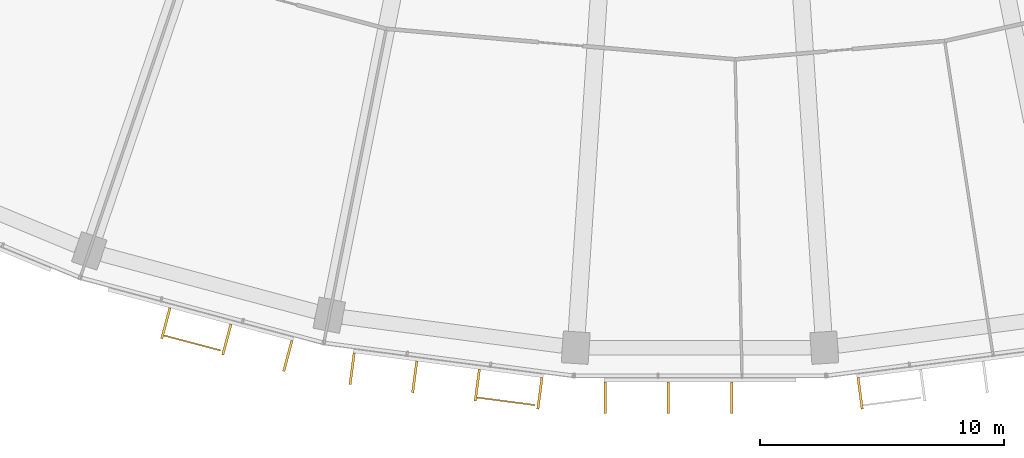
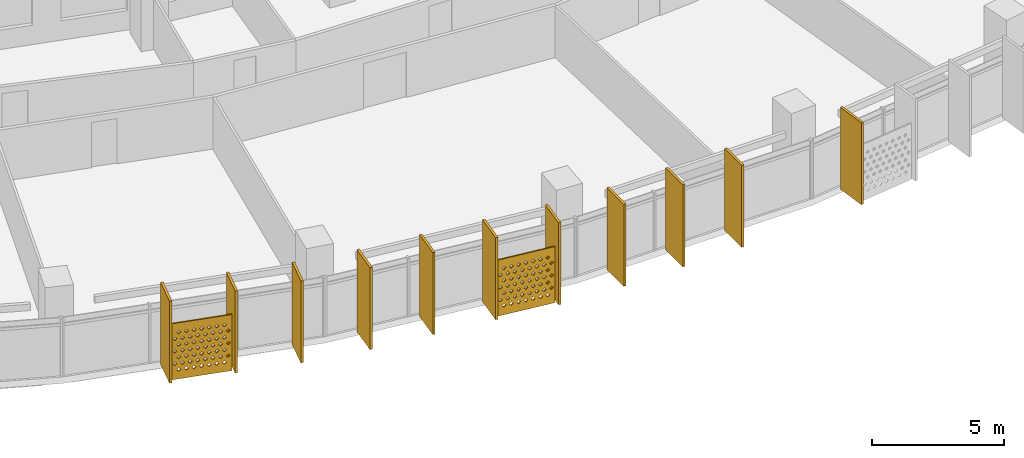
# One storey, part 23 of 27: 13 shading devices.
"""IFC4 building model written with IfcOpenShell, lengths in metres."""

from ifc_helpers import new_model, si_unit, direction, frame, origin, origin_2d, place, context, subcontext, project, spatial, polyline, rectangle, outline, extrude, material, material_profile, profile_set, type_object, element, save


model = new_model("IFC4")

# Units and contexts
model_context = context("Model", 3, precision=1e-05, world=origin(), true_north=direction((0.0, 1.0)))
body_context = subcontext(model_context, "Body", "Model", "MODEL_VIEW")
ifc_project = project(units=[si_unit("LENGTHUNIT", "METRE"), si_unit("AREAUNIT", "SQUARE_METRE"), si_unit("VOLUMEUNIT", "CUBIC_METRE"), si_unit("PLANEANGLEUNIT", "RADIAN"), si_unit("MASSUNIT", "GRAM", prefix="KILO")], contexts=[model_context])

# Site, building, storey
site_placement = place(None, origin())
site = spatial("IfcSite", under=ifc_project, at=site_placement, CompositionType="ELEMENT")
building_placement = place(site_placement, origin())
building = spatial("IfcBuilding", under=site, at=building_placement, Name="Qamariyya Broadcast Tower", CompositionType="ELEMENT")
storey_placement = place(building_placement, frame((0.0, 0.0, 191.10009765625)))
storey = spatial("IfcBuildingStorey", under=building, at=storey_placement, Name="L45", CompositionType="ELEMENT", Elevation=191.10009765625)

# Shading devices
ifc_material_1 = material(Name="Perforated glazed terracotta", Category="masonry")
ifc_material_profile_1 = material_profile(ifc_material_1, outline(polyline([(-1.199951171875, -1.300048828125), (1.199951171875, -1.300048828125), (1.199951171875, 1.300048828125), (-1.199951171875, 1.300048828125), (-1.199951171875, -1.300048828125)]), holes=[polyline([(-0.81494140625, -0.86669921875), (-0.89990234375, -0.78173828125), (-0.985107421875, -0.86669921875), (-0.89990234375, -0.95166015625), (-0.81494140625, -0.86669921875)]), polyline([(-0.514892578125, -0.86669921875), (-0.60009765625, -0.78173828125), (-0.68505859375, -0.86669921875), (-0.60009765625, -0.95166015625), (-0.514892578125, -0.86669921875)]), polyline([(-0.215087890625, -0.86669921875), (-0.300048828125, -0.78173828125), (-0.385009765625, -0.86669921875), (-0.300048828125, -0.95166015625), (-0.215087890625, -0.86669921875)]), polyline([(0.0849609375, -0.86669921875), (0.0, -0.78173828125), (-0.0849609375, -0.86669921875), (0.0, -0.95166015625), (0.0849609375, -0.86669921875)]), polyline([(0.385009765625, -0.86669921875), (0.300048828125, -0.78173828125), (0.215087890625, -0.86669921875), (0.300048828125, -0.95166015625), (0.385009765625, -0.86669921875)]), polyline([(0.68505859375, -0.86669921875), (0.60009765625, -0.78173828125), (0.514892578125, -0.86669921875), (0.60009765625, -0.95166015625), (0.68505859375, -0.86669921875)]), polyline([(0.985107421875, -0.86669921875), (0.89990234375, -0.78173828125), (0.81494140625, -0.86669921875), (0.89990234375, -0.95166015625), (0.985107421875, -0.86669921875)]), polyline([(-0.965087890625, -0.577880859375), (-1.050048828125, -0.49267578125), (-1.135009765625, -0.577880859375), (-1.050048828125, -0.662841796875), (-0.965087890625, -0.577880859375)]), polyline([(-0.6650390625, -0.577880859375), (-0.75, -0.49267578125), (-0.8349609375, -0.577880859375), (-0.75, -0.662841796875), (-0.6650390625, -0.577880859375)]), polyline([(-0.364990234375, -0.577880859375), (-0.449951171875, -0.49267578125), (-0.534912109375, -0.577880859375), (-0.449951171875, -0.662841796875), (-0.364990234375, -0.577880859375)]), polyline([(-0.06494140625, -0.577880859375), (-0.14990234375, -0.49267578125), (-0.235107421875, -0.577880859375), (-0.14990234375, -0.662841796875), (-0.06494140625, -0.577880859375)]), polyline([(0.235107421875, -0.577880859375), (0.14990234375, -0.49267578125), (0.06494140625, -0.577880859375), (0.14990234375, -0.662841796875), (0.235107421875, -0.577880859375)]), polyline([(0.534912109375, -0.577880859375), (0.449951171875, -0.49267578125), (0.364990234375, -0.577880859375), (0.449951171875, -0.662841796875), (0.534912109375, -0.577880859375)]), polyline([(0.8349609375, -0.577880859375), (0.75, -0.49267578125), (0.6650390625, -0.577880859375), (0.75, -0.662841796875), (0.8349609375, -0.577880859375)]), polyline([(1.135009765625, -0.577880859375), (1.050048828125, -0.49267578125), (0.965087890625, -0.577880859375), (1.050048828125, -0.662841796875), (1.135009765625, -0.577880859375)]), polyline([(-0.81494140625, -0.288818359375), (-0.89990234375, -0.203857421875), (-0.985107421875, -0.288818359375), (-0.89990234375, -0.373779296875), (-0.81494140625, -0.288818359375)]), polyline([(-0.514892578125, -0.288818359375), (-0.60009765625, -0.203857421875), (-0.68505859375, -0.288818359375), (-0.60009765625, -0.373779296875), (-0.514892578125, -0.288818359375)]), polyline([(-0.215087890625, -0.288818359375), (-0.300048828125, -0.203857421875), (-0.385009765625, -0.288818359375), (-0.300048828125, -0.373779296875), (-0.215087890625, -0.288818359375)]), polyline([(0.0849609375, -0.288818359375), (0.0, -0.203857421875), (-0.0849609375, -0.288818359375), (0.0, -0.373779296875), (0.0849609375, -0.288818359375)]), polyline([(0.385009765625, -0.288818359375), (0.300048828125, -0.203857421875), (0.215087890625, -0.288818359375), (0.300048828125, -0.373779296875), (0.385009765625, -0.288818359375)]), polyline([(0.68505859375, -0.288818359375), (0.60009765625, -0.203857421875), (0.514892578125, -0.288818359375), (0.60009765625, -0.373779296875), (0.68505859375, -0.288818359375)]), polyline([(0.985107421875, -0.288818359375), (0.89990234375, -0.203857421875), (0.81494140625, -0.288818359375), (0.89990234375, -0.373779296875), (0.985107421875, -0.288818359375)]), polyline([(-0.965087890625, 0.0), (-1.050048828125, 0.0849609375), (-1.135009765625, 0.0), (-1.050048828125, -0.0849609375), (-0.965087890625, 0.0)]), polyline([(-0.6650390625, 0.0), (-0.75, 0.0849609375), (-0.8349609375, 0.0), (-0.75, -0.0849609375), (-0.6650390625, 0.0)]), polyline([(-0.364990234375, 0.0), (-0.449951171875, 0.0849609375), (-0.534912109375, 0.0), (-0.449951171875, -0.0849609375), (-0.364990234375, 0.0)]), polyline([(-0.06494140625, 0.0), (-0.14990234375, 0.0849609375), (-0.235107421875, 0.0), (-0.14990234375, -0.0849609375), (-0.06494140625, 0.0)]), polyline([(0.235107421875, 0.0), (0.14990234375, 0.0849609375), (0.06494140625, 0.0), (0.14990234375, -0.0849609375), (0.235107421875, 0.0)]), polyline([(0.534912109375, 0.0), (0.449951171875, 0.0849609375), (0.364990234375, 0.0), (0.449951171875, -0.0849609375), (0.534912109375, 0.0)]), polyline([(0.8349609375, 0.0), (0.75, 0.0849609375), (0.6650390625, 0.0), (0.75, -0.0849609375), (0.8349609375, 0.0)]), polyline([(1.135009765625, 0.0), (1.050048828125, 0.0849609375), (0.965087890625, 0.0), (1.050048828125, -0.0849609375), (1.135009765625, 0.0)]), polyline([(-0.81494140625, 0.288818359375), (-0.89990234375, 0.373779296875), (-0.985107421875, 0.288818359375), (-0.89990234375, 0.203857421875), (-0.81494140625, 0.288818359375)]), polyline([(-0.514892578125, 0.288818359375), (-0.60009765625, 0.373779296875), (-0.68505859375, 0.288818359375), (-0.60009765625, 0.203857421875), (-0.514892578125, 0.288818359375)]), polyline([(-0.215087890625, 0.288818359375), (-0.300048828125, 0.373779296875), (-0.385009765625, 0.288818359375), (-0.300048828125, 0.203857421875), (-0.215087890625, 0.288818359375)]), polyline([(0.0849609375, 0.288818359375), (0.0, 0.373779296875), (-0.0849609375, 0.288818359375), (0.0, 0.203857421875), (0.0849609375, 0.288818359375)]), polyline([(0.385009765625, 0.288818359375), (0.300048828125, 0.373779296875), (0.215087890625, 0.288818359375), (0.300048828125, 0.203857421875), (0.385009765625, 0.288818359375)]), polyline([(0.68505859375, 0.288818359375), (0.60009765625, 0.373779296875), (0.514892578125, 0.288818359375), (0.60009765625, 0.203857421875), (0.68505859375, 0.288818359375)]), polyline([(0.985107421875, 0.288818359375), (0.89990234375, 0.373779296875), (0.81494140625, 0.288818359375), (0.89990234375, 0.203857421875), (0.985107421875, 0.288818359375)]), polyline([(-0.965087890625, 0.577880859375), (-1.050048828125, 0.662841796875), (-1.135009765625, 0.577880859375), (-1.050048828125, 0.49267578125), (-0.965087890625, 0.577880859375)]), polyline([(-0.6650390625, 0.577880859375), (-0.75, 0.662841796875), (-0.8349609375, 0.577880859375), (-0.75, 0.49267578125), (-0.6650390625, 0.577880859375)]), polyline([(-0.364990234375, 0.577880859375), (-0.449951171875, 0.662841796875), (-0.534912109375, 0.577880859375), (-0.449951171875, 0.49267578125), (-0.364990234375, 0.577880859375)]), polyline([(-0.06494140625, 0.577880859375), (-0.14990234375, 0.662841796875), (-0.235107421875, 0.577880859375), (-0.14990234375, 0.49267578125), (-0.06494140625, 0.577880859375)]), polyline([(0.235107421875, 0.577880859375), (0.14990234375, 0.662841796875), (0.06494140625, 0.577880859375), (0.14990234375, 0.49267578125), (0.235107421875, 0.577880859375)]), polyline([(0.534912109375, 0.577880859375), (0.449951171875, 0.662841796875), (0.364990234375, 0.577880859375), (0.449951171875, 0.49267578125), (0.534912109375, 0.577880859375)]), polyline([(0.8349609375, 0.577880859375), (0.75, 0.662841796875), (0.6650390625, 0.577880859375), (0.75, 0.49267578125), (0.8349609375, 0.577880859375)]), polyline([(1.135009765625, 0.577880859375), (1.050048828125, 0.662841796875), (0.965087890625, 0.577880859375), (1.050048828125, 0.49267578125), (1.135009765625, 0.577880859375)]), polyline([(-0.81494140625, 0.86669921875), (-0.89990234375, 0.95166015625), (-0.985107421875, 0.86669921875), (-0.89990234375, 0.78173828125), (-0.81494140625, 0.86669921875)]), polyline([(-0.514892578125, 0.86669921875), (-0.60009765625, 0.95166015625), (-0.68505859375, 0.86669921875), (-0.60009765625, 0.78173828125), (-0.514892578125, 0.86669921875)]), polyline([(-0.215087890625, 0.86669921875), (-0.300048828125, 0.95166015625), (-0.385009765625, 0.86669921875), (-0.300048828125, 0.78173828125), (-0.215087890625, 0.86669921875)]), polyline([(0.0849609375, 0.86669921875), (0.0, 0.95166015625), (-0.0849609375, 0.86669921875), (0.0, 0.78173828125), (0.0849609375, 0.86669921875)]), polyline([(0.385009765625, 0.86669921875), (0.300048828125, 0.95166015625), (0.215087890625, 0.86669921875), (0.300048828125, 0.78173828125), (0.385009765625, 0.86669921875)]), polyline([(0.68505859375, 0.86669921875), (0.60009765625, 0.95166015625), (0.514892578125, 0.86669921875), (0.60009765625, 0.78173828125), (0.68505859375, 0.86669921875)]), polyline([(0.985107421875, 0.86669921875), (0.89990234375, 0.95166015625), (0.81494140625, 0.86669921875), (0.89990234375, 0.78173828125), (0.985107421875, 0.86669921875)])]))
ifc_profile_set_1 = profile_set([ifc_material_profile_1], Name="Perforated glazed terracotta")
shading_device_type_1 = type_object("IfcShadingDeviceType", Name="Perforated terracotta screen 2400 x 2600", PredefinedType="USERDEFINED", material=ifc_profile_set_1)
shading_device_1_placement = place(storey_placement, frame((-20.77197265625, -77.360595703125, 1.349853515625), z_axis=(-0.255892560316, -0.966705227862, 0.0), x_axis=(0.966705227862, -0.255892560316, 0.0)))
element("IfcShadingDevice", 1, at=shading_device_1_placement, inside=storey, type_object=shading_device_type_1, Name="e-scr-L45-05-1", ObjectType="SCREEN", PredefinedType="USERDEFINED", context=body_context, shape_type="SweptSolid", body=[
    extrude(outline(polyline([(-1.199951171875, -1.300048828125), (1.199951171875, -1.300048828125), (1.199951171875, 1.300048828125), (-1.199951171875, 1.300048828125), (-1.199951171875, -1.300048828125)]), holes=[polyline([(-0.81494140625, -0.86669921875), (-0.89990234375, -0.78173828125), (-0.985107421875, -0.86669921875), (-0.89990234375, -0.95166015625), (-0.81494140625, -0.86669921875)]), polyline([(-0.514892578125, -0.86669921875), (-0.60009765625, -0.78173828125), (-0.68505859375, -0.86669921875), (-0.60009765625, -0.95166015625), (-0.514892578125, -0.86669921875)]), polyline([(-0.215087890625, -0.86669921875), (-0.300048828125, -0.78173828125), (-0.385009765625, -0.86669921875), (-0.300048828125, -0.95166015625), (-0.215087890625, -0.86669921875)]), polyline([(0.0849609375, -0.86669921875), (0.0, -0.78173828125), (-0.0849609375, -0.86669921875), (0.0, -0.95166015625), (0.0849609375, -0.86669921875)]), polyline([(0.385009765625, -0.86669921875), (0.300048828125, -0.78173828125), (0.215087890625, -0.86669921875), (0.300048828125, -0.95166015625), (0.385009765625, -0.86669921875)]), polyline([(0.68505859375, -0.86669921875), (0.60009765625, -0.78173828125), (0.514892578125, -0.86669921875), (0.60009765625, -0.95166015625), (0.68505859375, -0.86669921875)]), polyline([(0.985107421875, -0.86669921875), (0.89990234375, -0.78173828125), (0.81494140625, -0.86669921875), (0.89990234375, -0.95166015625), (0.985107421875, -0.86669921875)]), polyline([(-0.965087890625, -0.577880859375), (-1.050048828125, -0.49267578125), (-1.135009765625, -0.577880859375), (-1.050048828125, -0.662841796875), (-0.965087890625, -0.577880859375)]), polyline([(-0.6650390625, -0.577880859375), (-0.75, -0.49267578125), (-0.8349609375, -0.577880859375), (-0.75, -0.662841796875), (-0.6650390625, -0.577880859375)]), polyline([(-0.364990234375, -0.577880859375), (-0.449951171875, -0.49267578125), (-0.534912109375, -0.577880859375), (-0.449951171875, -0.662841796875), (-0.364990234375, -0.577880859375)]), polyline([(-0.06494140625, -0.577880859375), (-0.14990234375, -0.49267578125), (-0.235107421875, -0.577880859375), (-0.14990234375, -0.662841796875), (-0.06494140625, -0.577880859375)]), polyline([(0.235107421875, -0.577880859375), (0.14990234375, -0.49267578125), (0.06494140625, -0.577880859375), (0.14990234375, -0.662841796875), (0.235107421875, -0.577880859375)]), polyline([(0.534912109375, -0.577880859375), (0.449951171875, -0.49267578125), (0.364990234375, -0.577880859375), (0.449951171875, -0.662841796875), (0.534912109375, -0.577880859375)]), polyline([(0.8349609375, -0.577880859375), (0.75, -0.49267578125), (0.6650390625, -0.577880859375), (0.75, -0.662841796875), (0.8349609375, -0.577880859375)]), polyline([(1.135009765625, -0.577880859375), (1.050048828125, -0.49267578125), (0.965087890625, -0.577880859375), (1.050048828125, -0.662841796875), (1.135009765625, -0.577880859375)]), polyline([(-0.81494140625, -0.288818359375), (-0.89990234375, -0.203857421875), (-0.985107421875, -0.288818359375), (-0.89990234375, -0.373779296875), (-0.81494140625, -0.288818359375)]), polyline([(-0.514892578125, -0.288818359375), (-0.60009765625, -0.203857421875), (-0.68505859375, -0.288818359375), (-0.60009765625, -0.373779296875), (-0.514892578125, -0.288818359375)]), polyline([(-0.215087890625, -0.288818359375), (-0.300048828125, -0.203857421875), (-0.385009765625, -0.288818359375), (-0.300048828125, -0.373779296875), (-0.215087890625, -0.288818359375)]), polyline([(0.0849609375, -0.288818359375), (0.0, -0.203857421875), (-0.0849609375, -0.288818359375), (0.0, -0.373779296875), (0.0849609375, -0.288818359375)]), polyline([(0.385009765625, -0.288818359375), (0.300048828125, -0.203857421875), (0.215087890625, -0.288818359375), (0.300048828125, -0.373779296875), (0.385009765625, -0.288818359375)]), polyline([(0.68505859375, -0.288818359375), (0.60009765625, -0.203857421875), (0.514892578125, -0.288818359375), (0.60009765625, -0.373779296875), (0.68505859375, -0.288818359375)]), polyline([(0.985107421875, -0.288818359375), (0.89990234375, -0.203857421875), (0.81494140625, -0.288818359375), (0.89990234375, -0.373779296875), (0.985107421875, -0.288818359375)]), polyline([(-0.965087890625, 0.0), (-1.050048828125, 0.0849609375), (-1.135009765625, 0.0), (-1.050048828125, -0.0849609375), (-0.965087890625, 0.0)]), polyline([(-0.6650390625, 0.0), (-0.75, 0.0849609375), (-0.8349609375, 0.0), (-0.75, -0.0849609375), (-0.6650390625, 0.0)]), polyline([(-0.364990234375, 0.0), (-0.449951171875, 0.0849609375), (-0.534912109375, 0.0), (-0.449951171875, -0.0849609375), (-0.364990234375, 0.0)]), polyline([(-0.06494140625, 0.0), (-0.14990234375, 0.0849609375), (-0.235107421875, 0.0), (-0.14990234375, -0.0849609375), (-0.06494140625, 0.0)]), polyline([(0.235107421875, 0.0), (0.14990234375, 0.0849609375), (0.06494140625, 0.0), (0.14990234375, -0.0849609375), (0.235107421875, 0.0)]), polyline([(0.534912109375, 0.0), (0.449951171875, 0.0849609375), (0.364990234375, 0.0), (0.449951171875, -0.0849609375), (0.534912109375, 0.0)]), polyline([(0.8349609375, 0.0), (0.75, 0.0849609375), (0.6650390625, 0.0), (0.75, -0.0849609375), (0.8349609375, 0.0)]), polyline([(1.135009765625, 0.0), (1.050048828125, 0.0849609375), (0.965087890625, 0.0), (1.050048828125, -0.0849609375), (1.135009765625, 0.0)]), polyline([(-0.81494140625, 0.288818359375), (-0.89990234375, 0.373779296875), (-0.985107421875, 0.288818359375), (-0.89990234375, 0.203857421875), (-0.81494140625, 0.288818359375)]), polyline([(-0.514892578125, 0.288818359375), (-0.60009765625, 0.373779296875), (-0.68505859375, 0.288818359375), (-0.60009765625, 0.203857421875), (-0.514892578125, 0.288818359375)]), polyline([(-0.215087890625, 0.288818359375), (-0.300048828125, 0.373779296875), (-0.385009765625, 0.288818359375), (-0.300048828125, 0.203857421875), (-0.215087890625, 0.288818359375)]), polyline([(0.0849609375, 0.288818359375), (0.0, 0.373779296875), (-0.0849609375, 0.288818359375), (0.0, 0.203857421875), (0.0849609375, 0.288818359375)]), polyline([(0.385009765625, 0.288818359375), (0.300048828125, 0.373779296875), (0.215087890625, 0.288818359375), (0.300048828125, 0.203857421875), (0.385009765625, 0.288818359375)]), polyline([(0.68505859375, 0.288818359375), (0.60009765625, 0.373779296875), (0.514892578125, 0.288818359375), (0.60009765625, 0.203857421875), (0.68505859375, 0.288818359375)]), polyline([(0.985107421875, 0.288818359375), (0.89990234375, 0.373779296875), (0.81494140625, 0.288818359375), (0.89990234375, 0.203857421875), (0.985107421875, 0.288818359375)]), polyline([(-0.965087890625, 0.577880859375), (-1.050048828125, 0.662841796875), (-1.135009765625, 0.577880859375), (-1.050048828125, 0.49267578125), (-0.965087890625, 0.577880859375)]), polyline([(-0.6650390625, 0.577880859375), (-0.75, 0.662841796875), (-0.8349609375, 0.577880859375), (-0.75, 0.49267578125), (-0.6650390625, 0.577880859375)]), polyline([(-0.364990234375, 0.577880859375), (-0.449951171875, 0.662841796875), (-0.534912109375, 0.577880859375), (-0.449951171875, 0.49267578125), (-0.364990234375, 0.577880859375)]), polyline([(-0.06494140625, 0.577880859375), (-0.14990234375, 0.662841796875), (-0.235107421875, 0.577880859375), (-0.14990234375, 0.49267578125), (-0.06494140625, 0.577880859375)]), polyline([(0.235107421875, 0.577880859375), (0.14990234375, 0.662841796875), (0.06494140625, 0.577880859375), (0.14990234375, 0.49267578125), (0.235107421875, 0.577880859375)]), polyline([(0.534912109375, 0.577880859375), (0.449951171875, 0.662841796875), (0.364990234375, 0.577880859375), (0.449951171875, 0.49267578125), (0.534912109375, 0.577880859375)]), polyline([(0.8349609375, 0.577880859375), (0.75, 0.662841796875), (0.6650390625, 0.577880859375), (0.75, 0.49267578125), (0.8349609375, 0.577880859375)]), polyline([(1.135009765625, 0.577880859375), (1.050048828125, 0.662841796875), (0.965087890625, 0.577880859375), (1.050048828125, 0.49267578125), (1.135009765625, 0.577880859375)]), polyline([(-0.81494140625, 0.86669921875), (-0.89990234375, 0.95166015625), (-0.985107421875, 0.86669921875), (-0.89990234375, 0.78173828125), (-0.81494140625, 0.86669921875)]), polyline([(-0.514892578125, 0.86669921875), (-0.60009765625, 0.95166015625), (-0.68505859375, 0.86669921875), (-0.60009765625, 0.78173828125), (-0.514892578125, 0.86669921875)]), polyline([(-0.215087890625, 0.86669921875), (-0.300048828125, 0.95166015625), (-0.385009765625, 0.86669921875), (-0.300048828125, 0.78173828125), (-0.215087890625, 0.86669921875)]), polyline([(0.0849609375, 0.86669921875), (0.0, 0.95166015625), (-0.0849609375, 0.86669921875), (0.0, 0.78173828125), (0.0849609375, 0.86669921875)]), polyline([(0.385009765625, 0.86669921875), (0.300048828125, 0.95166015625), (0.215087890625, 0.86669921875), (0.300048828125, 0.78173828125), (0.385009765625, 0.86669921875)]), polyline([(0.68505859375, 0.86669921875), (0.60009765625, 0.95166015625), (0.514892578125, 0.86669921875), (0.60009765625, 0.78173828125), (0.68505859375, 0.86669921875)]), polyline([(0.985107421875, 0.86669921875), (0.89990234375, 0.95166015625), (0.81494140625, 0.86669921875), (0.89990234375, 0.78173828125), (0.985107421875, 0.86669921875)])]), origin(), (0.0, 0.0, 1.0), 0.06005859375),
])
shading_device_2_placement = place(storey_placement, frame((-7.935302734375, -79.747314453125, 1.349853515625), z_axis=(-0.1300340368, -0.991509530601, 0.0), x_axis=(0.991509530601, -0.1300340368, 0.0)))
element("IfcShadingDevice", 2, at=shading_device_2_placement, inside=storey, type_object=shading_device_type_1, Name="e-scr-L45-06-2", ObjectType="SCREEN", PredefinedType="USERDEFINED", context=body_context, shape_type="SweptSolid", body=[
    extrude(outline(polyline([(-1.199951171875, -1.300048828125), (1.199951171875, -1.300048828125), (1.199951171875, 1.300048828125), (-1.199951171875, 1.300048828125), (-1.199951171875, -1.300048828125)]), holes=[polyline([(-0.81494140625, -0.86669921875), (-0.89990234375, -0.78173828125), (-0.985107421875, -0.86669921875), (-0.89990234375, -0.95166015625), (-0.81494140625, -0.86669921875)]), polyline([(-0.514892578125, -0.86669921875), (-0.60009765625, -0.78173828125), (-0.68505859375, -0.86669921875), (-0.60009765625, -0.95166015625), (-0.514892578125, -0.86669921875)]), polyline([(-0.215087890625, -0.86669921875), (-0.300048828125, -0.78173828125), (-0.385009765625, -0.86669921875), (-0.300048828125, -0.95166015625), (-0.215087890625, -0.86669921875)]), polyline([(0.0849609375, -0.86669921875), (0.0, -0.78173828125), (-0.0849609375, -0.86669921875), (0.0, -0.95166015625), (0.0849609375, -0.86669921875)]), polyline([(0.385009765625, -0.86669921875), (0.300048828125, -0.78173828125), (0.215087890625, -0.86669921875), (0.300048828125, -0.95166015625), (0.385009765625, -0.86669921875)]), polyline([(0.68505859375, -0.86669921875), (0.60009765625, -0.78173828125), (0.514892578125, -0.86669921875), (0.60009765625, -0.95166015625), (0.68505859375, -0.86669921875)]), polyline([(0.985107421875, -0.86669921875), (0.89990234375, -0.78173828125), (0.81494140625, -0.86669921875), (0.89990234375, -0.95166015625), (0.985107421875, -0.86669921875)]), polyline([(-0.965087890625, -0.577880859375), (-1.050048828125, -0.49267578125), (-1.135009765625, -0.577880859375), (-1.050048828125, -0.662841796875), (-0.965087890625, -0.577880859375)]), polyline([(-0.6650390625, -0.577880859375), (-0.75, -0.49267578125), (-0.8349609375, -0.577880859375), (-0.75, -0.662841796875), (-0.6650390625, -0.577880859375)]), polyline([(-0.364990234375, -0.577880859375), (-0.449951171875, -0.49267578125), (-0.534912109375, -0.577880859375), (-0.449951171875, -0.662841796875), (-0.364990234375, -0.577880859375)]), polyline([(-0.06494140625, -0.577880859375), (-0.14990234375, -0.49267578125), (-0.235107421875, -0.577880859375), (-0.14990234375, -0.662841796875), (-0.06494140625, -0.577880859375)]), polyline([(0.235107421875, -0.577880859375), (0.14990234375, -0.49267578125), (0.06494140625, -0.577880859375), (0.14990234375, -0.662841796875), (0.235107421875, -0.577880859375)]), polyline([(0.534912109375, -0.577880859375), (0.449951171875, -0.49267578125), (0.364990234375, -0.577880859375), (0.449951171875, -0.662841796875), (0.534912109375, -0.577880859375)]), polyline([(0.8349609375, -0.577880859375), (0.75, -0.49267578125), (0.6650390625, -0.577880859375), (0.75, -0.662841796875), (0.8349609375, -0.577880859375)]), polyline([(1.135009765625, -0.577880859375), (1.050048828125, -0.49267578125), (0.965087890625, -0.577880859375), (1.050048828125, -0.662841796875), (1.135009765625, -0.577880859375)]), polyline([(-0.81494140625, -0.288818359375), (-0.89990234375, -0.203857421875), (-0.985107421875, -0.288818359375), (-0.89990234375, -0.373779296875), (-0.81494140625, -0.288818359375)]), polyline([(-0.514892578125, -0.288818359375), (-0.60009765625, -0.203857421875), (-0.68505859375, -0.288818359375), (-0.60009765625, -0.373779296875), (-0.514892578125, -0.288818359375)]), polyline([(-0.215087890625, -0.288818359375), (-0.300048828125, -0.203857421875), (-0.385009765625, -0.288818359375), (-0.300048828125, -0.373779296875), (-0.215087890625, -0.288818359375)]), polyline([(0.0849609375, -0.288818359375), (0.0, -0.203857421875), (-0.0849609375, -0.288818359375), (0.0, -0.373779296875), (0.0849609375, -0.288818359375)]), polyline([(0.385009765625, -0.288818359375), (0.300048828125, -0.203857421875), (0.215087890625, -0.288818359375), (0.300048828125, -0.373779296875), (0.385009765625, -0.288818359375)]), polyline([(0.68505859375, -0.288818359375), (0.60009765625, -0.203857421875), (0.514892578125, -0.288818359375), (0.60009765625, -0.373779296875), (0.68505859375, -0.288818359375)]), polyline([(0.985107421875, -0.288818359375), (0.89990234375, -0.203857421875), (0.81494140625, -0.288818359375), (0.89990234375, -0.373779296875), (0.985107421875, -0.288818359375)]), polyline([(-0.965087890625, 0.0), (-1.050048828125, 0.0849609375), (-1.135009765625, 0.0), (-1.050048828125, -0.0849609375), (-0.965087890625, 0.0)]), polyline([(-0.6650390625, 0.0), (-0.75, 0.0849609375), (-0.8349609375, 0.0), (-0.75, -0.0849609375), (-0.6650390625, 0.0)]), polyline([(-0.364990234375, 0.0), (-0.449951171875, 0.0849609375), (-0.534912109375, 0.0), (-0.449951171875, -0.0849609375), (-0.364990234375, 0.0)]), polyline([(-0.06494140625, 0.0), (-0.14990234375, 0.0849609375), (-0.235107421875, 0.0), (-0.14990234375, -0.0849609375), (-0.06494140625, 0.0)]), polyline([(0.235107421875, 0.0), (0.14990234375, 0.0849609375), (0.06494140625, 0.0), (0.14990234375, -0.0849609375), (0.235107421875, 0.0)]), polyline([(0.534912109375, 0.0), (0.449951171875, 0.0849609375), (0.364990234375, 0.0), (0.449951171875, -0.0849609375), (0.534912109375, 0.0)]), polyline([(0.8349609375, 0.0), (0.75, 0.0849609375), (0.6650390625, 0.0), (0.75, -0.0849609375), (0.8349609375, 0.0)]), polyline([(1.135009765625, 0.0), (1.050048828125, 0.0849609375), (0.965087890625, 0.0), (1.050048828125, -0.0849609375), (1.135009765625, 0.0)]), polyline([(-0.81494140625, 0.288818359375), (-0.89990234375, 0.373779296875), (-0.985107421875, 0.288818359375), (-0.89990234375, 0.203857421875), (-0.81494140625, 0.288818359375)]), polyline([(-0.514892578125, 0.288818359375), (-0.60009765625, 0.373779296875), (-0.68505859375, 0.288818359375), (-0.60009765625, 0.203857421875), (-0.514892578125, 0.288818359375)]), polyline([(-0.215087890625, 0.288818359375), (-0.300048828125, 0.373779296875), (-0.385009765625, 0.288818359375), (-0.300048828125, 0.203857421875), (-0.215087890625, 0.288818359375)]), polyline([(0.0849609375, 0.288818359375), (0.0, 0.373779296875), (-0.0849609375, 0.288818359375), (0.0, 0.203857421875), (0.0849609375, 0.288818359375)]), polyline([(0.385009765625, 0.288818359375), (0.300048828125, 0.373779296875), (0.215087890625, 0.288818359375), (0.300048828125, 0.203857421875), (0.385009765625, 0.288818359375)]), polyline([(0.68505859375, 0.288818359375), (0.60009765625, 0.373779296875), (0.514892578125, 0.288818359375), (0.60009765625, 0.203857421875), (0.68505859375, 0.288818359375)]), polyline([(0.985107421875, 0.288818359375), (0.89990234375, 0.373779296875), (0.81494140625, 0.288818359375), (0.89990234375, 0.203857421875), (0.985107421875, 0.288818359375)]), polyline([(-0.965087890625, 0.577880859375), (-1.050048828125, 0.662841796875), (-1.135009765625, 0.577880859375), (-1.050048828125, 0.49267578125), (-0.965087890625, 0.577880859375)]), polyline([(-0.6650390625, 0.577880859375), (-0.75, 0.662841796875), (-0.8349609375, 0.577880859375), (-0.75, 0.49267578125), (-0.6650390625, 0.577880859375)]), polyline([(-0.364990234375, 0.577880859375), (-0.449951171875, 0.662841796875), (-0.534912109375, 0.577880859375), (-0.449951171875, 0.49267578125), (-0.364990234375, 0.577880859375)]), polyline([(-0.06494140625, 0.577880859375), (-0.14990234375, 0.662841796875), (-0.235107421875, 0.577880859375), (-0.14990234375, 0.49267578125), (-0.06494140625, 0.577880859375)]), polyline([(0.235107421875, 0.577880859375), (0.14990234375, 0.662841796875), (0.06494140625, 0.577880859375), (0.14990234375, 0.49267578125), (0.235107421875, 0.577880859375)]), polyline([(0.534912109375, 0.577880859375), (0.449951171875, 0.662841796875), (0.364990234375, 0.577880859375), (0.449951171875, 0.49267578125), (0.534912109375, 0.577880859375)]), polyline([(0.8349609375, 0.577880859375), (0.75, 0.662841796875), (0.6650390625, 0.577880859375), (0.75, 0.49267578125), (0.8349609375, 0.577880859375)]), polyline([(1.135009765625, 0.577880859375), (1.050048828125, 0.662841796875), (0.965087890625, 0.577880859375), (1.050048828125, 0.49267578125), (1.135009765625, 0.577880859375)]), polyline([(-0.81494140625, 0.86669921875), (-0.89990234375, 0.95166015625), (-0.985107421875, 0.86669921875), (-0.89990234375, 0.78173828125), (-0.81494140625, 0.86669921875)]), polyline([(-0.514892578125, 0.86669921875), (-0.60009765625, 0.95166015625), (-0.68505859375, 0.86669921875), (-0.60009765625, 0.78173828125), (-0.514892578125, 0.86669921875)]), polyline([(-0.215087890625, 0.86669921875), (-0.300048828125, 0.95166015625), (-0.385009765625, 0.86669921875), (-0.300048828125, 0.78173828125), (-0.215087890625, 0.86669921875)]), polyline([(0.0849609375, 0.86669921875), (0.0, 0.95166015625), (-0.0849609375, 0.86669921875), (0.0, 0.78173828125), (0.0849609375, 0.86669921875)]), polyline([(0.385009765625, 0.86669921875), (0.300048828125, 0.95166015625), (0.215087890625, 0.86669921875), (0.300048828125, 0.78173828125), (0.385009765625, 0.86669921875)]), polyline([(0.68505859375, 0.86669921875), (0.60009765625, 0.95166015625), (0.514892578125, 0.86669921875), (0.60009765625, 0.78173828125), (0.68505859375, 0.86669921875)]), polyline([(0.985107421875, 0.86669921875), (0.89990234375, 0.95166015625), (0.81494140625, 0.86669921875), (0.89990234375, 0.78173828125), (0.985107421875, 0.86669921875)])]), origin(), (0.0, 0.0, 1.0), 0.06005859375),
])
ifc_material_2 = material(Name="Glazed terracotta", Category="masonry")
ifc_material_profile_2 = material_profile(ifc_material_2, rectangle(XDim=1.300048828125, YDim=0.10009765625, at=origin_2d()))
ifc_profile_set_2 = profile_set([ifc_material_profile_2], Name="Glazed terracotta")
shading_device_type_2 = type_object("IfcShadingDeviceType", Name="Terracotta fin 100 x 1300", PredefinedType="USERDEFINED", material=ifc_profile_set_2)
for number, where, z_axis, x_axis, name in (
    (3, (-21.857666015625, -76.583251953125, 0.0), (0.0, 0.0, 1.0), (-0.258819045103, -0.965925826289, 0.0), "e-fin-L45-05-1"),
    (4, (-19.3623046875, -77.251708984375, 0.0), (0.0, 0.0, 1.0), (-0.258819045103, -0.965925826289, 0.0), "e-fin-L45-05-2"),
    (5, (-16.866943359375, -77.92041015625, 0.0), (0.0, 0.0, 1.0), (-0.258819045103, -0.965925826289, 0.0), "e-fin-L45-05-3"),
    (6, (-14.23583984375, -78.44384765625, 0.0), (0.0, 0.0, 1.0), (-0.13052619222, -0.991444861374, 0.0), "e-fin-L45-06-0"),
    (7, (-11.674560546875, -78.781005859375, 0.0), (0.0, 0.0, 1.0), (-0.13052619222, -0.991444861374, 0.0), "e-fin-L45-06-1"),
    (8, (-9.11328125, -79.1181640625, 0.0), (0.0, 0.0, 1.0), (-0.13052619222, -0.991444861374, 0.0), "e-fin-L45-06-2"),
    (9, (-6.552001953125, -79.455322265625, 0.0), (0.0, 0.0, 1.0), (-0.13052619222, -0.991444861374, 0.0), "e-fin-L45-06-3"),
    (10, (-3.875244140625, -79.630859375, 0.0), (0.0, 0.0, 1.0), (0.0, -1.0, 0.0), "e-fin-L45-07-0"),
    (11, (-1.291748046875, -79.630859375, 0.0), (0.0, 0.0, 1.0), (0.0, -1.0, 0.0), "e-fin-L45-07-1"),
    (12, (1.291748046875, -79.630859375, 0.0), (0.0, 0.0, 1.0), (0.0, -1.0, 0.0), "e-fin-L45-07-2"),
    (13, (6.552001953125, -79.455322265625, 0.0), (0.0, 0.0, 1.0), (0.13052619222, -0.991444861374, 0.0), "e-fin-L45-08-0"),
):
    element("IfcShadingDevice", number, at=place(storey_placement, frame(where, z_axis=z_axis, x_axis=x_axis)), inside=storey, type_object=shading_device_type_2, Name=name, ObjectType="FIN", PredefinedType="USERDEFINED", context=body_context, shape_type="SweptSolid", body=[
        extrude(rectangle(XDim=1.300048828125, YDim=0.10009765625, at=origin_2d()), origin(), (0.0, 0.0, 1.0), 3.7998046875),
    ])

save(model, "model.ifc")
